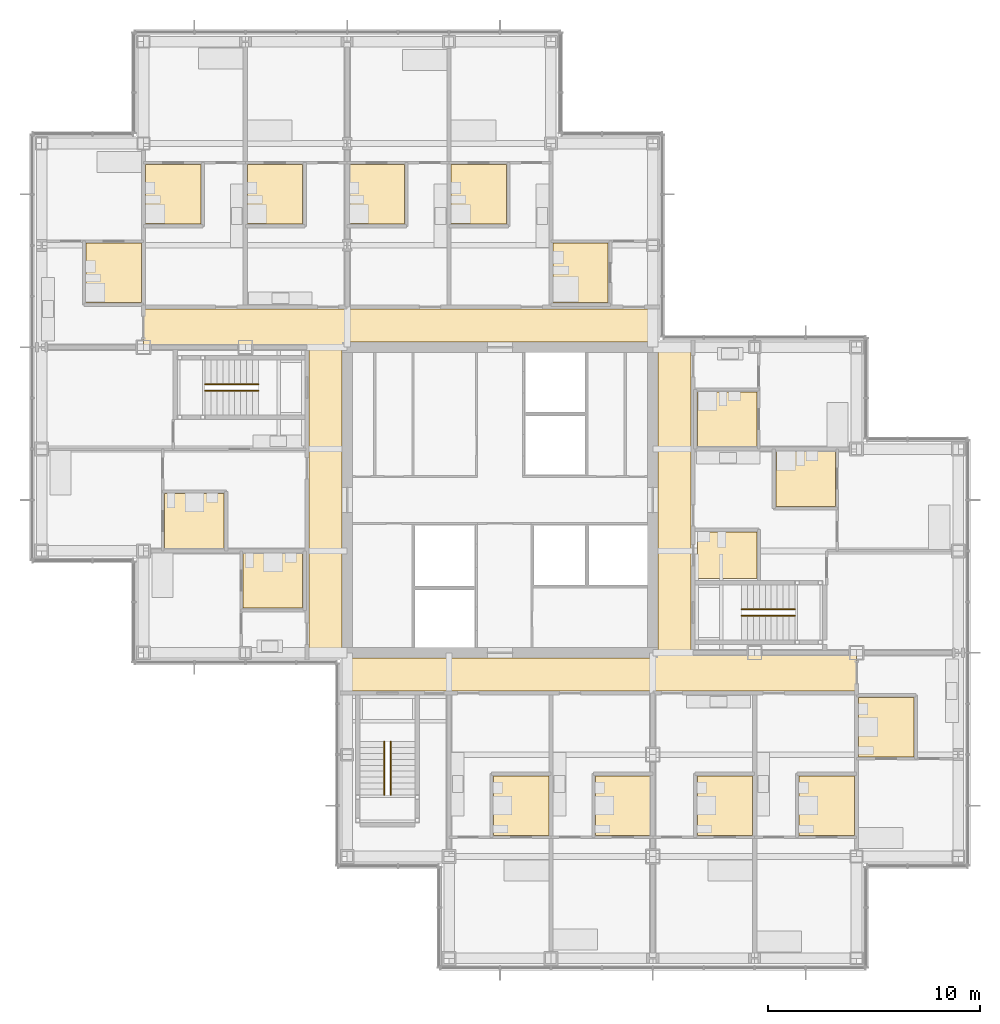
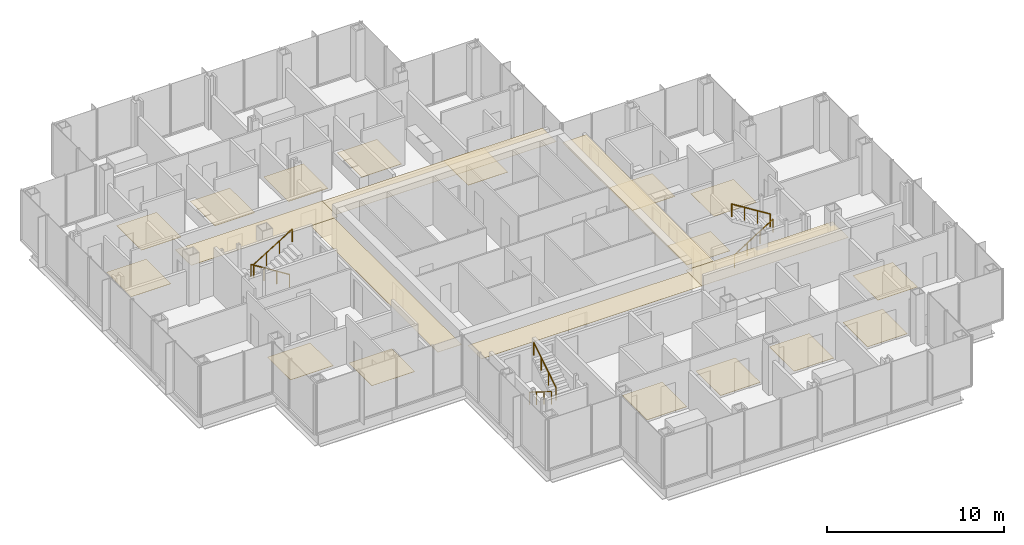
# One storey, part 18 of 20: 22 coverings, 6 railings.
"""IFC4 building model written with IfcOpenShell, lengths in metres."""

from ifc_helpers import new_model, si_unit, direction, frame, origin, origin_2d, place, context, subcontext, project, spatial, polyline, circle, outline, extrude, material, layer, layer_set, type_object, element, save


model = new_model("IFC4")

# Units and contexts
model_context = context("Model", 3, precision=1e-05, world=origin(), true_north=direction((0.0, 1.0)))
body_context = subcontext(model_context, "Body", "Model", "MODEL_VIEW")
ifc_project = project(units=[si_unit("LENGTHUNIT", "METRE"), si_unit("AREAUNIT", "SQUARE_METRE"), si_unit("VOLUMEUNIT", "CUBIC_METRE"), si_unit("PLANEANGLEUNIT", "RADIAN"), si_unit("MASSUNIT", "GRAM", prefix="KILO")], contexts=[model_context])

# Site, building, storey
site_placement = place(None, origin())
site = spatial("IfcSite", under=ifc_project, at=site_placement, CompositionType="ELEMENT")
building_placement = place(site_placement, origin())
building = spatial("IfcBuilding", under=site, at=building_placement, Name="Kvirike Care Tower", CompositionType="ELEMENT")
storey_placement = place(building_placement, frame((0.0, 0.0, 91.0)))
storey = spatial("IfcBuildingStorey", under=building, at=storey_placement, Name="L24", CompositionType="ELEMENT", Elevation=91.0)

# Coverings
ifc_material_1 = material(Name="Perforated metal ceiling tile", Category="aluminium")
ifc_layer_1 = layer(ifc_material_1, 0.014892578125)
ifc_layer_set_1 = layer_set([ifc_layer_1], Name="CORRIDOR CEILING 15")
covering_type_1 = type_object("IfcCoveringType", Name="CORRIDOR CEILING 15", PredefinedType="CEILING", material=ifc_layer_set_1)
covering_1_placement = place(storey_placement, frame((0.0, 0.0, 2.5)))
element("IfcCovering", 1, at=covering_1_placement, inside=storey, type_object=covering_type_1, Name="Corridor ceiling L24", PredefinedType="CEILING", context=body_context, shape_type="SweptSolid", body=[
    extrude(outline(polyline([(12.60009765625, 43.199951171875), (14.14990234375, 43.199951171875), (14.14990234375, 28.800048828125), (12.60009765625, 28.800048828125), (12.60009765625, 43.199951171875)])), origin(), (0.0, 0.0, 1.0), 0.014892578125),
])
covering_2_placement = place(storey_placement, frame((0.0, 0.0, 2.5)))
element("IfcCovering", 2, at=covering_2_placement, inside=storey, type_object=covering_type_1, Name="Corridor ceiling L24", PredefinedType="CEILING", context=body_context, shape_type="SweptSolid", body=[
    extrude(outline(polyline([(14.39990234375, 45.0), (14.39990234375, 43.199951171875), (4.800048828125, 43.199951171875), (4.800048828125, 45.0), (14.39990234375, 45.0)])), origin(), (0.0, 0.0, 1.0), 0.014892578125),
])
covering_3_placement = place(storey_placement, frame((0.0, 0.0, 2.5)))
element("IfcCovering", 3, at=covering_3_placement, inside=storey, type_object=covering_type_1, Name="Corridor ceiling L24", PredefinedType="CEILING", context=body_context, shape_type="SweptSolid", body=[
    extrude(outline(polyline([(14.39990234375, 27.0), (14.39990234375, 28.550048828125), (28.800048828125, 28.550048828125), (28.800048828125, 27.0), (14.39990234375, 27.0)])), origin(), (0.0, 0.0, 1.0), 0.014892578125),
])
covering_4_placement = place(storey_placement, frame((0.0, 0.0, 2.5)))
element("IfcCovering", 4, at=covering_4_placement, inside=storey, type_object=covering_type_1, Name="Corridor ceiling L24", PredefinedType="CEILING", context=body_context, shape_type="SweptSolid", body=[
    extrude(outline(polyline([(28.800048828125, 45.0), (28.800048828125, 43.449951171875), (14.39990234375, 43.449951171875), (14.39990234375, 45.0), (28.800048828125, 45.0)])), origin(), (0.0, 0.0, 1.0), 0.014892578125),
])
covering_5_placement = place(storey_placement, frame((0.0, 0.0, 2.5)))
element("IfcCovering", 5, at=covering_5_placement, inside=storey, type_object=covering_type_1, Name="Corridor ceiling L24", PredefinedType="CEILING", context=body_context, shape_type="SweptSolid", body=[
    extrude(outline(polyline([(28.800048828125, 27.0), (28.800048828125, 28.800048828125), (38.39990234375, 28.800048828125), (38.39990234375, 27.0), (28.800048828125, 27.0)])), origin(), (0.0, 0.0, 1.0), 0.014892578125),
])
covering_6_placement = place(storey_placement, frame((0.0, 0.0, 2.5)))
element("IfcCovering", 6, at=covering_6_placement, inside=storey, type_object=covering_type_1, Name="Corridor ceiling L24", PredefinedType="CEILING", context=body_context, shape_type="SweptSolid", body=[
    extrude(outline(polyline([(30.60009765625, 28.800048828125), (29.050048828125, 28.800048828125), (29.050048828125, 43.199951171875), (30.60009765625, 43.199951171875), (30.60009765625, 28.800048828125)])), origin(), (0.0, 0.0, 1.0), 0.014892578125),
])

# Railings
ifc_material_2 = material(Name="Stainless steel handrail", Category="steel")
railing_type = type_object("IfcRailingType", Name="STAIR HANDRAIL 900", PredefinedType="HANDRAIL", material=ifc_material_2)
railing_1_placement = place(storey_placement, frame((10.219970703125, 41.449951171875, 0.175048828125)))
element("IfcRailing", 7, at=railing_1_placement, inside=storey, type_object=railing_type, Name="Stair 1 handrail L24 flight 1", PredefinedType="HANDRAIL", context=body_context, shape_type="SweptSolid", body=[
    extrude(circle(Radius=0.02490234375, at=origin_2d()), frame((0.0, 0.0, 0.875), z_axis=(-0.848007534815, 0.0, 0.529984170421), x_axis=(0.0, -1.0, 0.0)), (0.0, 0.0, 1.0), 2.9716796875),
    extrude(circle(Radius=0.02001953125, at=origin_2d()), origin(), (0.0, 0.0, 1.0), 0.849853515625),
    extrude(circle(Radius=0.02001953125, at=origin_2d()), frame((-0.840087890625, 0.0, 0.52490234375)), (0.0, 0.0, 1.0), 0.849853515625),
    extrude(circle(Radius=0.02001953125, at=origin_2d()), frame((-1.679931640625, 0.0, 1.050048828125)), (0.0, 0.0, 1.0), 0.849853515625),
    extrude(circle(Radius=0.02001953125, at=origin_2d()), frame((-2.52001953125, 0.0, 1.574951171875)), (0.0, 0.0, 1.0), 0.849853515625),
])
for number, where, name in (
    (8, (7.699951171875, 41.14990234375, 1.925048828125), "Stair 1 handrail L24 flight 2"),
    (9, (32.97998046875, 30.550048828125, 0.175048828125), "Stair 2 handrail L24 flight 1"),
):
    element("IfcRailing", number, at=place(storey_placement, frame(where)), inside=storey, type_object=railing_type, Name=name, PredefinedType="HANDRAIL", context=body_context, shape_type="SweptSolid", body=[
        extrude(circle(Radius=0.02490234375, at=origin_2d()), frame((0.0, 0.0, 0.875), z_axis=(0.848007534815, 0.0, 0.529984170421), x_axis=(0.0, 1.0, 0.0)), (0.0, 0.0, 1.0), 2.9716796875),
        extrude(circle(Radius=0.02001953125, at=origin_2d()), origin(), (0.0, 0.0, 1.0), 0.849853515625),
        extrude(circle(Radius=0.02001953125, at=origin_2d()), frame((0.840087890625, 0.0, 0.52490234375)), (0.0, 0.0, 1.0), 0.849853515625),
        extrude(circle(Radius=0.02001953125, at=origin_2d()), frame((1.679931640625, 0.0, 1.050048828125)), (0.0, 0.0, 1.0), 0.849853515625),
        extrude(circle(Radius=0.02001953125, at=origin_2d()), frame((2.52001953125, 0.0, 1.574951171875)), (0.0, 0.0, 1.0), 0.849853515625),
    ])
railing_2_placement = place(storey_placement, frame((35.5, 30.85009765625, 1.925048828125)))
element("IfcRailing", 10, at=railing_2_placement, inside=storey, type_object=railing_type, Name="Stair 2 handrail L24 flight 2", PredefinedType="HANDRAIL", context=body_context, shape_type="SweptSolid", body=[
    extrude(circle(Radius=0.02490234375, at=origin_2d()), frame((0.0, 0.0, 0.875), z_axis=(-0.848007534815, 0.0, 0.529984170421), x_axis=(0.0, -1.0, 0.0)), (0.0, 0.0, 1.0), 2.9716796875),
    extrude(circle(Radius=0.02001953125, at=origin_2d()), origin(), (0.0, 0.0, 1.0), 0.849853515625),
    extrude(circle(Radius=0.02001953125, at=origin_2d()), frame((-0.840087890625, 0.0, 0.52490234375)), (0.0, 0.0, 1.0), 0.849853515625),
    extrude(circle(Radius=0.02001953125, at=origin_2d()), frame((-1.679931640625, 0.0, 1.050048828125)), (0.0, 0.0, 1.0), 0.849853515625),
    extrude(circle(Radius=0.02001953125, at=origin_2d()), frame((-2.52001953125, 0.0, 1.574951171875)), (0.0, 0.0, 1.0), 0.849853515625),
])
railing_3_placement = place(storey_placement, frame((16.14990234375, 24.6201171875, 0.175048828125)))
element("IfcRailing", 11, at=railing_3_placement, inside=storey, type_object=railing_type, Name="Stair 5 handrail L24 flight 1", PredefinedType="HANDRAIL", context=body_context, shape_type="SweptSolid", body=[
    extrude(circle(Radius=0.02490234375, at=origin_2d()), frame((0.0, 0.0, 0.875), z_axis=(0.0, -0.848007534815, 0.529984170421), x_axis=(1.0, 0.0, 0.0)), (0.0, 0.0, 1.0), 2.9716796875),
    extrude(circle(Radius=0.02001953125, at=origin_2d()), origin(), (0.0, 0.0, 1.0), 0.849853515625),
    extrude(circle(Radius=0.02001953125, at=origin_2d()), frame((0.0, -0.840087890625, 0.52490234375)), (0.0, 0.0, 1.0), 0.849853515625),
    extrude(circle(Radius=0.02001953125, at=origin_2d()), frame((0.0, -1.679931640625, 1.050048828125)), (0.0, 0.0, 1.0), 0.849853515625),
    extrude(circle(Radius=0.02001953125, at=origin_2d()), frame((0.0, -2.52001953125, 1.574951171875)), (0.0, 0.0, 1.0), 0.849853515625),
])
railing_4_placement = place(storey_placement, frame((16.449951171875, 22.10009765625, 1.925048828125)))
element("IfcRailing", 12, at=railing_4_placement, inside=storey, type_object=railing_type, Name="Stair 5 handrail L24 flight 2", PredefinedType="HANDRAIL", context=body_context, shape_type="SweptSolid", body=[
    extrude(circle(Radius=0.02490234375, at=origin_2d()), frame((0.0, 0.0, 0.875), z_axis=(0.0, 0.848007534815, 0.529984170421), x_axis=(-1.0, 0.0, 0.0)), (0.0, 0.0, 1.0), 2.9716796875),
    extrude(circle(Radius=0.02001953125, at=origin_2d()), origin(), (0.0, 0.0, 1.0), 0.849853515625),
    extrude(circle(Radius=0.02001953125, at=origin_2d()), frame((0.0, 0.840087890625, 0.52490234375)), (0.0, 0.0, 1.0), 0.849853515625),
    extrude(circle(Radius=0.02001953125, at=origin_2d()), frame((0.0, 1.679931640625, 1.050048828125)), (0.0, 0.0, 1.0), 0.849853515625),
    extrude(circle(Radius=0.02001953125, at=origin_2d()), frame((0.0, 2.52001953125, 1.574951171875)), (0.0, 0.0, 1.0), 0.849853515625),
])

# Coverings
ifc_material_3 = material(Name="Slip-resistant vinyl safety flooring on screed")
ifc_layer_2 = layer(ifc_material_3, 0.02001953125)
ifc_layer_set_2 = layer_set([ifc_layer_2], Name="WET ROOM FLOOR 20")
covering_type_2 = type_object("IfcCoveringType", Name="WET ROOM FLOOR 20", PredefinedType="FLOORING", material=ifc_layer_set_2)
covering_7_placement = place(storey_placement, origin())
element("IfcCovering", 13, at=covering_7_placement, inside=storey, type_object=covering_type_2, Name="En-suite floor L24-005", PredefinedType="FLOORING", context=body_context, shape_type="SweptSolid", body=[
    extrude(outline(polyline([(5.800048828125, 36.300048828125), (8.60009765625, 36.300048828125), (8.60009765625, 33.699951171875), (5.800048828125, 33.699951171875), (5.800048828125, 36.300048828125)])), origin(), (0.0, 0.0, 1.0), 0.02001953125),
])
covering_8_placement = place(storey_placement, origin())
element("IfcCovering", 14, at=covering_8_placement, inside=storey, type_object=covering_type_2, Name="En-suite floor L24-009", PredefinedType="FLOORING", context=body_context, shape_type="SweptSolid", body=[
    extrude(outline(polyline([(9.5, 33.5), (12.300048828125, 33.5), (12.300048828125, 30.89990234375), (9.5, 30.89990234375), (9.5, 33.5)])), origin(), (0.0, 0.0, 1.0), 0.02001953125),
])
covering_9_placement = place(storey_placement, origin())
element("IfcCovering", 15, at=covering_9_placement, inside=storey, type_object=covering_type_2, Name="En-suite floor L24-013", PredefinedType="FLOORING", context=body_context, shape_type="SweptSolid", body=[
    extrude(outline(polyline([(12.300048828125, 51.800048828125), (12.300048828125, 49.0), (9.699951171875, 49.0), (9.699951171875, 51.800048828125), (12.300048828125, 51.800048828125)])), origin(), (0.0, 0.0, 1.0), 0.02001953125),
])
covering_10_placement = place(storey_placement, origin())
element("IfcCovering", 16, at=covering_10_placement, inside=storey, type_object=covering_type_2, Name="En-suite floor L24-016", PredefinedType="FLOORING", context=body_context, shape_type="SweptSolid", body=[
    extrude(outline(polyline([(7.5, 51.800048828125), (7.5, 49.0), (4.89990234375, 49.0), (4.89990234375, 51.800048828125), (7.5, 51.800048828125)])), origin(), (0.0, 0.0, 1.0), 0.02001953125),
])
covering_11_placement = place(storey_placement, origin())
element("IfcCovering", 17, at=covering_11_placement, inside=storey, type_object=covering_type_2, Name="En-suite floor L24-019", PredefinedType="FLOORING", context=body_context, shape_type="SweptSolid", body=[
    extrude(outline(polyline([(4.699951171875, 48.10009765625), (4.699951171875, 45.300048828125), (2.10009765625, 45.300048828125), (2.10009765625, 48.10009765625), (4.699951171875, 48.10009765625)])), origin(), (0.0, 0.0, 1.0), 0.02001953125),
])
covering_12_placement = place(storey_placement, origin())
element("IfcCovering", 18, at=covering_12_placement, inside=storey, type_object=covering_type_2, Name="En-suite floor L24-025", PredefinedType="FLOORING", context=body_context, shape_type="SweptSolid", body=[
    extrude(outline(polyline([(21.300048828125, 20.199951171875), (21.300048828125, 23.0), (23.89990234375, 23.0), (23.89990234375, 20.199951171875), (21.300048828125, 20.199951171875)])), origin(), (0.0, 0.0, 1.0), 0.02001953125),
])
covering_13_placement = place(storey_placement, origin())
element("IfcCovering", 19, at=covering_13_placement, inside=storey, type_object=covering_type_2, Name="En-suite floor L24-028", PredefinedType="FLOORING", context=body_context, shape_type="SweptSolid", body=[
    extrude(outline(polyline([(26.10009765625, 20.199951171875), (26.10009765625, 23.0), (28.699951171875, 23.0), (28.699951171875, 20.199951171875), (26.10009765625, 20.199951171875)])), origin(), (0.0, 0.0, 1.0), 0.02001953125),
])
covering_14_placement = place(storey_placement, origin())
element("IfcCovering", 20, at=covering_14_placement, inside=storey, type_object=covering_type_2, Name="Assisted bathroom floor L24-032", PredefinedType="FLOORING", context=body_context, shape_type="SweptSolid", body=[
    extrude(outline(polyline([(26.699951171875, 48.10009765625), (26.699951171875, 45.300048828125), (24.10009765625, 45.300048828125), (24.10009765625, 48.10009765625), (26.699951171875, 48.10009765625)])), origin(), (0.0, 0.0, 1.0), 0.02001953125),
])
covering_15_placement = place(storey_placement, origin())
element("IfcCovering", 21, at=covering_15_placement, inside=storey, type_object=covering_type_2, Name="En-suite floor L24-035", PredefinedType="FLOORING", context=body_context, shape_type="SweptSolid", body=[
    extrude(outline(polyline([(21.89990234375, 51.800048828125), (21.89990234375, 49.0), (19.300048828125, 49.0), (19.300048828125, 51.800048828125), (21.89990234375, 51.800048828125)])), origin(), (0.0, 0.0, 1.0), 0.02001953125),
])
covering_16_placement = place(storey_placement, origin())
element("IfcCovering", 22, at=covering_16_placement, inside=storey, type_object=covering_type_2, Name="En-suite floor L24-038", PredefinedType="FLOORING", context=body_context, shape_type="SweptSolid", body=[
    extrude(outline(polyline([(17.10009765625, 51.800048828125), (17.10009765625, 49.0), (14.5, 49.0), (14.5, 51.800048828125), (17.10009765625, 51.800048828125)])), origin(), (0.0, 0.0, 1.0), 0.02001953125),
])
covering_17_placement = place(storey_placement, origin())
element("IfcCovering", 23, at=covering_17_placement, inside=storey, type_object=covering_type_2, Name="En-suite floor L24-042", PredefinedType="FLOORING", context=body_context, shape_type="SweptSolid", body=[
    extrude(outline(polyline([(30.89990234375, 20.199951171875), (30.89990234375, 23.0), (33.5, 23.0), (33.5, 20.199951171875), (30.89990234375, 20.199951171875)])), origin(), (0.0, 0.0, 1.0), 0.02001953125),
])
covering_18_placement = place(storey_placement, origin())
element("IfcCovering", 24, at=covering_18_placement, inside=storey, type_object=covering_type_2, Name="En-suite floor L24-045", PredefinedType="FLOORING", context=body_context, shape_type="SweptSolid", body=[
    extrude(outline(polyline([(35.699951171875, 20.199951171875), (35.699951171875, 23.0), (38.300048828125, 23.0), (38.300048828125, 20.199951171875), (35.699951171875, 20.199951171875)])), origin(), (0.0, 0.0, 1.0), 0.02001953125),
])
covering_19_placement = place(storey_placement, origin())
element("IfcCovering", 25, at=covering_19_placement, inside=storey, type_object=covering_type_2, Name="En-suite floor L24-048", PredefinedType="FLOORING", context=body_context, shape_type="SweptSolid", body=[
    extrude(outline(polyline([(38.5, 23.89990234375), (38.5, 26.699951171875), (41.10009765625, 26.699951171875), (41.10009765625, 23.89990234375), (38.5, 23.89990234375)])), origin(), (0.0, 0.0, 1.0), 0.02001953125),
])
covering_20_placement = place(storey_placement, origin())
element("IfcCovering", 26, at=covering_20_placement, inside=storey, type_object=covering_type_2, Name="Accessible WC floor L24-054", PredefinedType="FLOORING", context=body_context, shape_type="SweptSolid", body=[
    extrude(outline(polyline([(33.699951171875, 32.300048828125), (30.89990234375, 32.300048828125), (30.89990234375, 34.5), (33.699951171875, 34.5), (33.699951171875, 32.300048828125)])), origin(), (0.0, 0.0, 1.0), 0.02001953125),
])
covering_21_placement = place(storey_placement, origin())
element("IfcCovering", 27, at=covering_21_placement, inside=storey, type_object=covering_type_2, Name="En-suite floor L24-055", PredefinedType="FLOORING", context=body_context, shape_type="SweptSolid", body=[
    extrude(outline(polyline([(37.39990234375, 35.699951171875), (34.60009765625, 35.699951171875), (34.60009765625, 38.300048828125), (37.39990234375, 38.300048828125), (37.39990234375, 35.699951171875)])), origin(), (0.0, 0.0, 1.0), 0.02001953125),
])
covering_22_placement = place(storey_placement, origin())
element("IfcCovering", 28, at=covering_22_placement, inside=storey, type_object=covering_type_2, Name="En-suite floor L24-058", PredefinedType="FLOORING", context=body_context, shape_type="SweptSolid", body=[
    extrude(outline(polyline([(33.699951171875, 38.5), (30.89990234375, 38.5), (30.89990234375, 41.10009765625), (33.699951171875, 41.10009765625), (33.699951171875, 38.5)])), origin(), (0.0, 0.0, 1.0), 0.02001953125),
])

save(model, "model.ifc")
